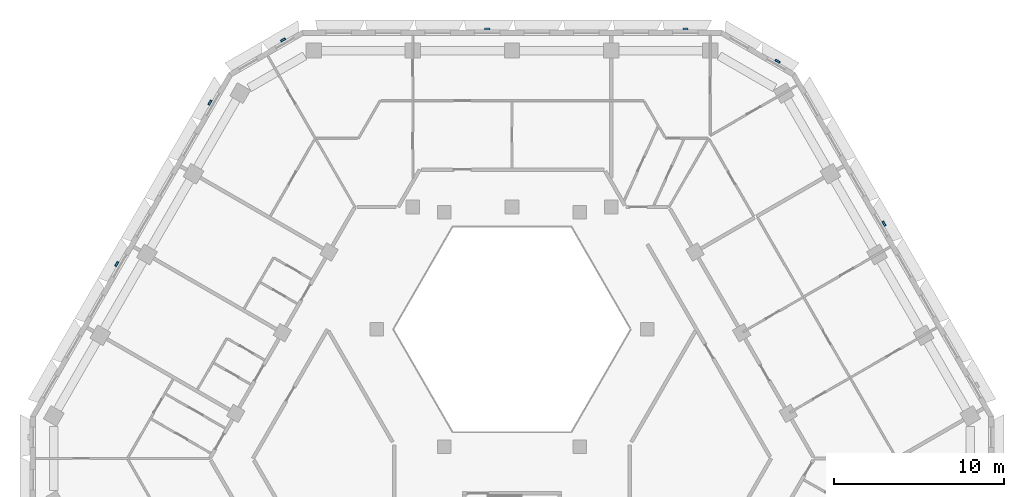
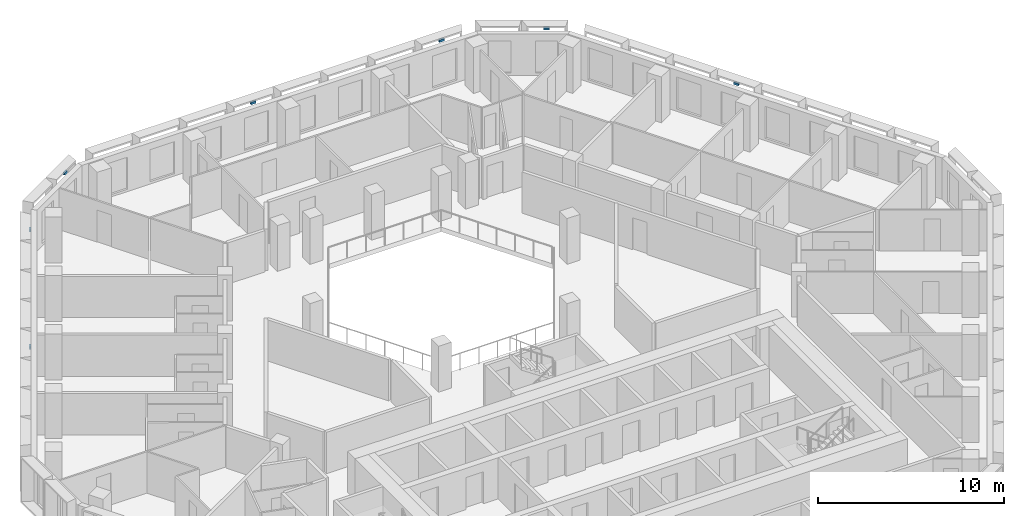
# One storey, part 11 of 17: 7 discrete accessories.
"""IFC4 building model written with IfcOpenShell, lengths in metres."""

import ifcopenshell
import ifcopenshell.guid

model = None  # the IFC model being written
_history = None  # IfcOwnerHistory: only IFC2X3 demands one
_inside = {}  # id of a spatial element -> (the spatial element, [elements in it])
_under = {}  # id of a project, library or spatial element -> (it, [spatial elements below it])
_declared = {}  # id of a project -> (the project, [libraries it declares])
_typed = {}  # id of a type object -> (the type object, [elements of that type])
_made_of = {}  # id of a material, layer set ... -> (it, [elements and type objects made of it])


def new_model(schema):
    """Start an empty IFC model of exactly this schema.

    Asked for "IFC4X3", IfcOpenShell would pick the latest addendum, in which some entities
    have other attributes; the version numbers below select the first issue.
    IFC2X3 requires an IfcOwnerHistory on every rooted entity: one is made here for all.
    """
    global model, _history
    if schema == "IFC4X3":
        model = ifcopenshell.file(schema_version=(4, 3, 0, 0))
    else:
        model = ifcopenshell.file(schema=schema)
    _inside.clear()
    _under.clear()
    _declared.clear()
    _typed.clear()
    _made_of.clear()
    _history = None
    if model.schema == "IFC2X3":
        org = make("IfcOrganization", Name="unknown")
        user = make(
            "IfcPersonAndOrganization",
            ThePerson=make("IfcPerson", FamilyName="unknown"),
            TheOrganization=org,
        )
        app = make(
            "IfcApplication",
            ApplicationDeveloper=org,
            Version="unknown",
            ApplicationFullName="unknown",
            ApplicationIdentifier="unknown",
        )
        _history = make(
            "IfcOwnerHistory",
            OwningUser=user,
            OwningApplication=app,
            ChangeAction="ADDED",
            CreationDate=0,
        )
    return model


def make(cls, **values):
    """One entity of the class cls with the attributes given. An attribute that is None is left unset."""
    return model.create_entity(
        cls, **{name: value for name, value in values.items() if value is not None}
    )


def rooted(cls, **values):
    """An entity with a GlobalId (a new one), such as an element, a storey or a relation."""
    return make(cls, GlobalId=ifcopenshell.guid.new(), OwnerHistory=_history, **values)


def si_unit(unit_type, name, prefix=None):
    """IfcSIUnit, for example si_unit("LENGTHUNIT", "METRE", prefix="MILLI")."""
    return make("IfcSIUnit", UnitType=unit_type, Prefix=prefix, Name=name)


def assignment(units):
    """IfcUnitAssignment: the units of a project."""
    return None if units is None else make("IfcUnitAssignment", Units=units)


def point(xyz):
    """IfcCartesianPoint."""
    return None if xyz is None else make("IfcCartesianPoint", Coordinates=xyz)


def direction(xyz):
    """IfcDirection."""
    return None if xyz is None else make("IfcDirection", DirectionRatios=xyz)


def frame(location, z_axis=None, x_axis=None):
    """IfcAxis2Placement3D, a coordinate frame: its origin and axes. An axis left out is left unset."""
    return make(
        "IfcAxis2Placement3D",
        Location=point(location),
        Axis=direction(z_axis),
        RefDirection=direction(x_axis),
    )


def origin():
    """The frame at (0, 0, 0) with its axes left unset."""
    return frame((0.0, 0.0, 0.0))


def place(relative_to, where):
    """IfcLocalPlacement: puts the frame where relative to a parent placement (None: the world)."""
    return make(
        "IfcLocalPlacement", PlacementRelTo=relative_to, RelativePlacement=where
    )


def context(
    kind, dimensions, precision=None, world=None, true_north=None, identifier=None
):
    """IfcGeometricRepresentationContext, for example the 3D "Model" context."""
    return make(
        "IfcGeometricRepresentationContext",
        ContextIdentifier=identifier,
        ContextType=kind,
        CoordinateSpaceDimension=dimensions,
        Precision=precision,
        WorldCoordinateSystem=world,
        TrueNorth=true_north,
    )


def subcontext(parent, identifier, kind, view, scale=None):
    """IfcGeometricRepresentationSubContext, for example "Body" below "Model"."""
    return make(
        "IfcGeometricRepresentationSubContext",
        ContextIdentifier=identifier,
        ContextType=kind,
        ParentContext=parent,
        TargetScale=scale,
        TargetView=view,
    )


def project(units=None, contexts=None):
    """IfcProject with its units and contexts."""
    return rooted(
        "IfcProject",
        Name="project",
        RepresentationContexts=contexts,
        UnitsInContext=assignment(units),
    )


def spatial(cls, under=None, at=None, **own):
    """A site, building, storey or space (cls), placed at a placement, below another one or the project."""
    s = rooted(cls, ObjectPlacement=at, **own)
    if under is not None:
        _under.setdefault(under.id(), (under, []))[1].append(s)
    return s


def polyline(points):
    """IfcPolyline through the points."""
    return make("IfcPolyline", Points=[point(p) for p in points])


def outline(outer, holes=None, kind="AREA"):
    """IfcArbitraryClosedProfileDef: a profile drawn as a closed curve; with holes, ...WithVoids."""
    if holes is None:
        return make("IfcArbitraryClosedProfileDef", ProfileType=kind, OuterCurve=outer)
    return make(
        "IfcArbitraryProfileDefWithVoids",
        ProfileType=kind,
        OuterCurve=outer,
        InnerCurves=holes,
    )


def extrude(swept, where, along, depth):
    """IfcExtrudedAreaSolid: the profile swept, set in the frame where, extruded along a direction by depth."""
    return make(
        "IfcExtrudedAreaSolid",
        SweptArea=swept,
        Position=where,
        ExtrudedDirection=direction(along),
        Depth=depth,
    )


def shape(context_of_items, identifier, shape_type, items):
    """IfcShapeRepresentation: the items that make up one representation, for example the "Body"."""
    return make(
        "IfcShapeRepresentation",
        ContextOfItems=context_of_items,
        RepresentationIdentifier=identifier,
        RepresentationType=shape_type,
        Items=items,
    )


def source(mapping_origin, context_of_items, identifier, shape_type, items):
    """IfcRepresentationMap: a shape defined once, which mapped items show again and again."""
    return make(
        "IfcRepresentationMap",
        MappingOrigin=mapping_origin,
        MappedRepresentation=shape(context_of_items, identifier, shape_type, items),
    )


def transform(
    local_origin,
    x_axis=None,
    y_axis=None,
    z_axis=None,
    scale=None,
    scale2=None,
    scale3=None,
    uniform=True,
):
    """IfcCartesianTransformationOperator3D, or its non-uniform kind. x_axis, y_axis, z_axis: its Axis1, 2, 3."""
    if uniform:
        return make(
            "IfcCartesianTransformationOperator3D",
            Axis1=direction(x_axis),
            Axis2=direction(y_axis),
            LocalOrigin=point(local_origin),
            Scale=scale,
            Axis3=direction(z_axis),
        )
    return make(
        "IfcCartesianTransformationOperator3DnonUniform",
        Axis1=direction(x_axis),
        Axis2=direction(y_axis),
        LocalOrigin=point(local_origin),
        Scale=scale,
        Axis3=direction(z_axis),
        Scale2=scale2,
        Scale3=scale3,
    )


def mapped(mapping_source, mapping_target):
    """IfcMappedItem: shows the shape of a source again, moved by a transform."""
    return make(
        "IfcMappedItem", MappingSource=mapping_source, MappingTarget=mapping_target
    )


def material(Name=None, Category=None):
    """IfcMaterial."""
    return make("IfcMaterial", Name=Name, Category=Category)


def made_of(thing, what):
    """Note that an element or type object is made of a material, layer set ...; save() writes the relation."""
    if what is not None:
        _made_of.setdefault(what.id(), (what, []))[1].append(thing)
    return thing


def type_object(cls, material=None, **own):
    """A type object (cls), such as IfcWallType, which elements share."""
    return made_of(rooted(cls, **own), material)


def type_shapes(of_type, sources):
    """Give a type object the sources (RepresentationMaps) that its elements show as mapped items."""
    of_type.RepresentationMaps = sources


def element(
    cls,
    number,
    at=None,
    inside=None,
    cuts=None,
    type_object=None,
    material=None,
    context=None,
    identifier="Body",
    shape_type=None,
    held_by="IfcProductDefinitionShape",
    body=None,
    shapes=None,
    **own,
):
    """One element of the class cls, such as IfcWall. Its Tag is "e" and its number.

    at: its placement. inside: the storey or other place that contains it. cuts: it is an
    opening in that element (IfcRelVoidsElement). A single representation is given by context,
    identifier, shape_type and body (its items); several are given by shapes. held_by: the class
    of the entity that holds the representations. save() writes the other relations.
    """
    e = rooted(cls, Tag="e%d" % number, ObjectPlacement=at, **own)
    if body is not None:
        shapes = [shape(context, identifier, shape_type, body)]
    if shapes is not None:
        e.Representation = make(held_by, Representations=shapes)
    if inside is not None:
        _inside.setdefault(inside.id(), (inside, []))[1].append(e)
    if cuts is not None:
        rooted(
            "IfcRelVoidsElement", RelatingBuildingElement=cuts, RelatedOpeningElement=e
        )
    if type_object is not None:
        _typed.setdefault(type_object.id(), (type_object, []))[1].append(e)
    return made_of(e, material)


def aggregate(whole, parts):
    """IfcRelAggregates: a whole, such as a stair, and the parts it consists of."""
    return rooted("IfcRelAggregates", RelatingObject=whole, RelatedObjects=parts)


def save(model, path):
    """Write the relations noted so far, then the file.

    IfcRelAggregates (storeys below a building ...), IfcRelContainedInSpatialStructure (elements
    in a storey), IfcRelDefinesByType, IfcRelAssociatesMaterial and IfcRelDeclares: one each for
    every whole, place, type object, material and project.
    """
    for whole, parts in _under.values():
        aggregate(whole, parts)
    for where, things in _inside.values():
        rooted(
            "IfcRelContainedInSpatialStructure",
            RelatedElements=things,
            RelatingStructure=where,
        )
    for kind, things in _typed.values():
        rooted("IfcRelDefinesByType", RelatedObjects=things, RelatingType=kind)
    for what, things in _made_of.values():
        rooted("IfcRelAssociatesMaterial", RelatedObjects=things, RelatingMaterial=what)
    for by, libraries in _declared.values():
        rooted("IfcRelDeclares", RelatingContext=by, RelatedDefinitions=libraries)
    model.write(path)


model = new_model("IFC4")

# Units and contexts
model_context = context("Model", 3, precision=1e-05, world=origin(), true_north=direction((0.0, 1.0)))
body_context = subcontext(model_context, "Body", "Model", "MODEL_VIEW")
ifc_project = project(units=[si_unit("LENGTHUNIT", "METRE"), si_unit("AREAUNIT", "SQUARE_METRE"), si_unit("VOLUMEUNIT", "CUBIC_METRE"), si_unit("PLANEANGLEUNIT", "RADIAN"), si_unit("MASSUNIT", "GRAM", prefix="KILO")], contexts=[model_context])

# Site, building, storey
site_placement = place(None, origin())
site = spatial("IfcSite", under=ifc_project, at=site_placement, CompositionType="ELEMENT")
building_placement = place(site_placement, origin())
building = spatial("IfcBuilding", under=site, at=building_placement, Name="Beryl Residences", CompositionType="ELEMENT")
storey_placement = place(building_placement, frame((0.0, 0.0, 132.60009765625)))
storey = spatial("IfcBuildingStorey", under=building, at=storey_placement, Name="L40", CompositionType="ELEMENT", Elevation=132.60009765625)

# Discrete accessories
ifc_material = material(Name="Steel S355", Category="steel")
discrete_accessory_type = type_object("IfcDiscreteAccessoryType", Name="BR1 frame bracket 300 x 120 x 150 mm", PredefinedType="BRACKET", material=ifc_material)
shared_shape = source(origin(), body_context, "Body", "SweptSolid", [
    extrude(outline(polyline([(-0.14990234375, 0.0), (0.14990234375, 0.0), (0.14990234375, 0.1201171875), (-0.14990234375, 0.1201171875), (-0.14990234375, 0.0)])), origin(), (0.0, 0.0, 1.0), 0.14990234375),
])
type_shapes(discrete_accessory_type, [shared_shape])
for number, where, z_axis, x_axis, name in (
    (1, (10.2041015625, 25.60009765625, 2.75), (0.0, 0.0, 1.0), (1.0, 0.0, 0.0), "BR1 bracket L40 N 1"),
    (2, (-1.4580078125, 25.60009765625, 2.75), (0.0, 0.0, 1.0), (1.0, 0.0, 0.0), "BR1 bracket L40 N 5"),
    (3, (-13.43798828125, 24.97509765625, 2.75), (0.0, 0.0, 1.0), (0.866025403784, 0.5, 0.0), "BR1 bracket L40 N-NW 1"),
    (4, (-17.718017578125, 21.31298828125, 2.75), (0.0, 0.0, 1.0), (0.5, 0.866025403784, 0.0), "BR1 bracket L40 NW 1"),
    (5, (-23.202880859375, 11.81201171875, 2.75), (0.0, 0.0, 1.0), (0.5, 0.866025403784, 0.0), "BR1 bracket L40 NW 5"),
    (6, (21.8310546875, 14.18798828125, 2.75), (0.0, 0.0, 1.0), (0.5, -0.866025403784, 0.0), "BR1 bracket L40 NE 5"),
    (7, (15.60205078125, 23.72509765625, 2.75), (0.0, 0.0, 1.0), (0.866025403784, -0.5, 0.0), "BR1 bracket L40 NE-N 1"),
):
    element("IfcDiscreteAccessory", number, at=place(storey_placement, frame(where, z_axis=z_axis, x_axis=x_axis)), inside=storey, type_object=discrete_accessory_type, Name=name, PredefinedType="BRACKET", context=body_context, shape_type="MappedRepresentation", body=[
        mapped(shared_shape, transform((0.0, 0.0, 0.0))),
    ])

save(model, "model.ifc")
